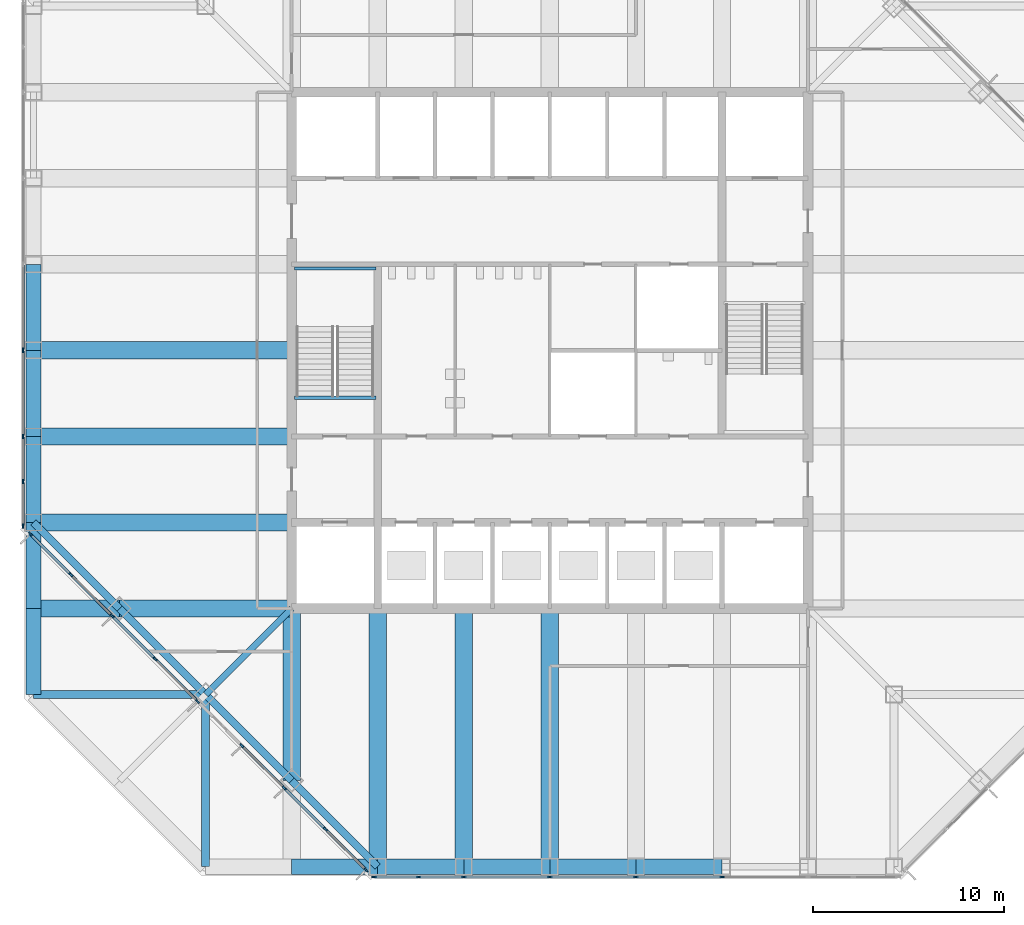
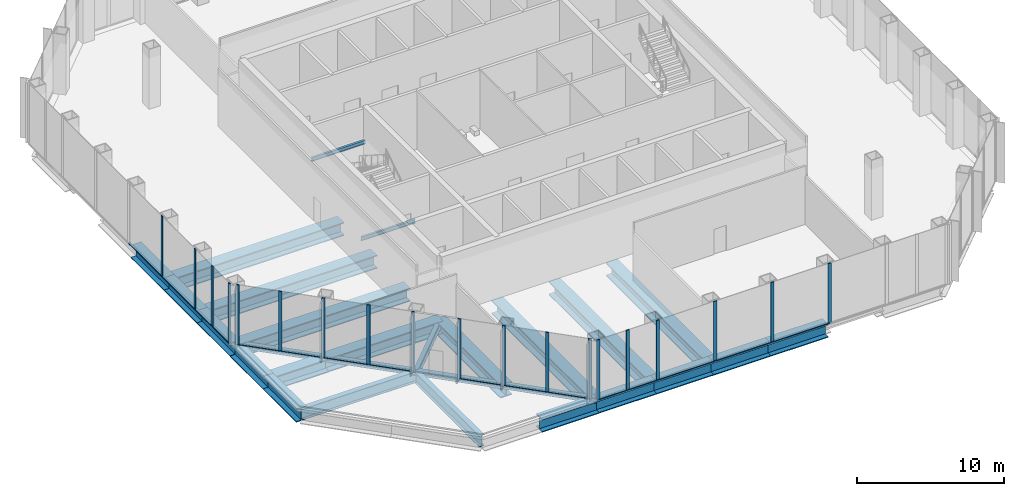
# One storey, part 2 of 12: 35 members, 28 beams, 4 elements without a shape of their own.
"""IFC4 building model written with IfcOpenShell, lengths in metres."""

from ifc_helpers import new_model, si_unit, direction, frame, origin, origin_2d, place, context, subcontext, project, spatial, rectangle, i_section, extrude, material, material_profile, profile_set, type_object, element, aggregate, save


model = new_model("IFC4")

# Units and contexts
model_context = context("Model", 3, precision=1e-05, world=origin(), true_north=direction((0.0, 1.0)))
body_context = subcontext(model_context, "Body", "Model", "MODEL_VIEW")
ifc_project = project(units=[si_unit("LENGTHUNIT", "METRE"), si_unit("AREAUNIT", "SQUARE_METRE"), si_unit("VOLUMEUNIT", "CUBIC_METRE"), si_unit("PLANEANGLEUNIT", "RADIAN"), si_unit("MASSUNIT", "GRAM", prefix="KILO")], contexts=[model_context])

# Site, building, storey
site_placement = place(None, origin())
site = spatial("IfcSite", under=ifc_project, at=site_placement, CompositionType="ELEMENT")
building_placement = place(site_placement, origin())
building = spatial("IfcBuilding", under=site, at=building_placement, Name="Corais Broadcast Tower", CompositionType="ELEMENT")
storey_placement = place(building_placement, frame((0.0, 0.0, 110.60009765625)))
storey = spatial("IfcBuildingStorey", under=building, at=storey_placement, Name="L24", CompositionType="ELEMENT", Elevation=110.60009765625)

# Beams
ifc_material_1 = material(Name="Steel ASTM A572 Grade 50", Category="steel")
ifc_material_profile_1 = material_profile(ifc_material_1, i_section(OverallWidth=0.323974609375, OverallDepth=0.611083984375, WebThickness=0.0126953125, FlangeThickness=0.01904296875, at=origin_2d()), Name="W610x155")
ifc_profile_set_1 = profile_set([ifc_material_profile_1], Name="Steel ASTM A572 Grade 50")
beam_type_1 = type_object("IfcBeamType", Name="Corner diagonal W610x155", PredefinedType="BEAM", material=ifc_profile_set_1)
beam_1_placement = place(storey_placement, frame((9.0, 9.0, -0.485595703125), z_axis=(0.707106781187, 0.707106781187, 0.0), x_axis=(-0.707106781187, 0.707106781187, 0.0)))
element("IfcBeam", 1, at=beam_1_placement, inside=storey, type_object=beam_type_1, Name="B6 C/5 to D/6", PredefinedType="BEAM", context=body_context, shape_type="SweptSolid", body=[
    extrude(i_section(OverallWidth=0.323974609375, OverallDepth=0.611083984375, WebThickness=0.0126953125, FlangeThickness=0.01904296875, at=origin_2d()), origin(), (0.0, 0.0, 1.0), 6.364013671875),
])
ifc_material_2 = material(Name="Steel ASTM A572 Grade 50", Category="steel")
ifc_material_profile_2 = material_profile(ifc_material_2, i_section(OverallWidth=0.1650390625, OverallDepth=0.31005859375, WebThickness=0.005859375, FlangeThickness=0.009765625, at=origin_2d()), Name="W310x38.7")
ifc_profile_set_2 = profile_set([ifc_material_profile_2], Name="Steel ASTM A572 Grade 50")
beam_type_2 = type_object("IfcBeamType", Name="Landing trimmer W310x38.7", PredefinedType="BEAM", material=ifc_profile_set_2)
for number, where, z_axis, x_axis, name in (
    (2, (13.64990234375, 24.52490234375, -0.35498046875), (1.0, 0.0, 0.0), (0.0, 1.0, 0.0), "LT1 stair A landing trimmer L24"),
    (3, (13.64990234375, 31.284912109375, 2.14501953125), (1.0, 0.0, 0.0), (0.0, 1.0, 0.0), "LT1 stair A half landing trimmer L24"),
):
    element("IfcBeam", number, at=place(storey_placement, frame(where, z_axis=z_axis, x_axis=x_axis)), inside=storey, type_object=beam_type_2, Name=name, PredefinedType="BEAM", context=body_context, shape_type="SweptSolid", body=[
        extrude(i_section(OverallWidth=0.1650390625, OverallDepth=0.31005859375, WebThickness=0.005859375, FlangeThickness=0.009765625, at=origin_2d()), origin(), (0.0, 0.0, 1.0), 4.25),
    ])

# Curtain wall, members
ifc_material_3 = material(Name="Aluminium and glass", Category="aluminium")
curtain_wall_type = type_object("IfcCurtainWallType", Name="Sky lobby curtain wall CW4", PredefinedType="NOTDEFINED", material=ifc_material_3)
curtain_wall_1_placement = place(storey_placement, origin())
curtain_wall_1 = element("IfcCurtainWall", 4, at=curtain_wall_1_placement, inside=storey, type_object=curtain_wall_type, Name="CW4 curtain wall L24 1", PredefinedType="NOTDEFINED")
ifc_material_4 = material(Name="Aluminium 6063-T6", Category="aluminium")
ifc_material_profile_3 = material_profile(ifc_material_4, rectangle(XDim=0.080078125, YDim=0.25, at=origin_2d()), Name="Mullion CW4 80x250")
ifc_profile_set_3 = profile_set([ifc_material_profile_3], Name="Aluminium 6063-T6")
member_type_1 = type_object("IfcMemberType", Name="Mullion CW4 80x250", PredefinedType="MULLION", material=ifc_profile_set_3)
member_1_placement = place(storey_placement, frame((17.390380859375, -0.168212890625, 0.0), z_axis=(0.0, 0.0, 1.0), x_axis=(-0.707106781187, -0.707106781187, 0.0)))
member_1 = element("IfcMember", 5, at=member_1_placement, type_object=member_type_1, Name="CW4 mullion 1", PredefinedType="MULLION", context=body_context, shape_type="SweptSolid", body=[
    extrude(rectangle(XDim=0.080078125, YDim=0.25, at=origin_2d()), origin(), (0.0, 0.0, 1.0), 5.0),
])
member_2_placement = place(storey_placement, frame((15.264892578125, 1.957275390625, 0.0), z_axis=(0.0, 0.0, 1.0), x_axis=(-0.707106781187, -0.707106781187, 0.0)))
member_2 = element("IfcMember", 6, at=member_2_placement, type_object=member_type_1, Name="CW4 mullion 2", PredefinedType="MULLION", context=body_context, shape_type="SweptSolid", body=[
    extrude(rectangle(XDim=0.080078125, YDim=0.25, at=origin_2d()), origin(), (0.0, 0.0, 1.0), 5.0),
])
member_3_placement = place(storey_placement, frame((13.111083984375, 4.111083984375, 0.0), z_axis=(0.0, 0.0, 1.0), x_axis=(-0.707106781187, -0.707106781187, 0.0)))
member_3 = element("IfcMember", 7, at=member_3_placement, type_object=member_type_1, Name="CW4 mullion 3", PredefinedType="MULLION", context=body_context, shape_type="SweptSolid", body=[
    extrude(rectangle(XDim=0.080078125, YDim=0.25, at=origin_2d()), origin(), (0.0, 0.0, 1.0), 5.0),
])
member_4_placement = place(storey_placement, frame((10.889404296875, 6.332763671875, 0.0), z_axis=(0.0, 0.0, 1.0), x_axis=(-0.707106781187, -0.707106781187, 0.0)))
member_4 = element("IfcMember", 8, at=member_4_placement, type_object=member_type_1, Name="CW4 mullion 4", PredefinedType="MULLION", context=body_context, shape_type="SweptSolid", body=[
    extrude(rectangle(XDim=0.080078125, YDim=0.25, at=origin_2d()), origin(), (0.0, 0.0, 1.0), 5.0),
])

curtain_wall_2_placement = place(storey_placement, origin())
curtain_wall_2 = element("IfcCurtainWall", 9, at=curtain_wall_2_placement, inside=storey, type_object=curtain_wall_type, Name="CW4 curtain wall L24 1", PredefinedType="NOTDEFINED")
member_5_placement = place(storey_placement, frame((8.582763671875, 8.639404296875, 0.0), z_axis=(0.0, 0.0, 1.0), x_axis=(-0.707106781187, -0.707106781187, 0.0)))
member_5 = element("IfcMember", 10, at=member_5_placement, type_object=member_type_1, Name="CW4 mullion 1", PredefinedType="MULLION", context=body_context, shape_type="SweptSolid", body=[
    extrude(rectangle(XDim=0.080078125, YDim=0.25, at=origin_2d()), origin(), (0.0, 0.0, 1.0), 5.0),
])
member_6_placement = place(storey_placement, frame((6.361083984375, 10.861083984375, 0.0), z_axis=(0.0, 0.0, 1.0), x_axis=(-0.707106781187, -0.707106781187, 0.0)))
member_6 = element("IfcMember", 11, at=member_6_placement, type_object=member_type_1, Name="CW4 mullion 2", PredefinedType="MULLION", context=body_context, shape_type="SweptSolid", body=[
    extrude(rectangle(XDim=0.080078125, YDim=0.25, at=origin_2d()), origin(), (0.0, 0.0, 1.0), 5.0),
])
member_7_placement = place(storey_placement, frame((4.111083984375, 13.111083984375, 0.0), z_axis=(0.0, 0.0, 1.0), x_axis=(-0.707106781187, -0.707106781187, 0.0)))
member_7 = element("IfcMember", 12, at=member_7_placement, type_object=member_type_1, Name="CW4 mullion 3", PredefinedType="MULLION", context=body_context, shape_type="SweptSolid", body=[
    extrude(rectangle(XDim=0.080078125, YDim=0.25, at=origin_2d()), origin(), (0.0, 0.0, 1.0), 5.0),
])
member_8_placement = place(storey_placement, frame((1.957275390625, 15.264892578125, 0.0), z_axis=(0.0, 0.0, 1.0), x_axis=(-0.707106781187, -0.707106781187, 0.0)))
member_8 = element("IfcMember", 13, at=member_8_placement, type_object=member_type_1, Name="CW4 mullion 4", PredefinedType="MULLION", context=body_context, shape_type="SweptSolid", body=[
    extrude(rectangle(XDim=0.080078125, YDim=0.25, at=origin_2d()), origin(), (0.0, 0.0, 1.0), 5.0),
])
member_9_placement = place(storey_placement, frame((-0.168212890625, 17.390380859375, 0.0), z_axis=(0.0, 0.0, 1.0), x_axis=(-0.707106781187, -0.707106781187, 0.0)))
member_9 = element("IfcMember", 14, at=member_9_placement, type_object=member_type_1, Name="CW4 mullion 5", PredefinedType="MULLION", context=body_context, shape_type="SweptSolid", body=[
    extrude(rectangle(XDim=0.080078125, YDim=0.25, at=origin_2d()), origin(), (0.0, 0.0, 1.0), 5.0),
])

curtain_wall_3_placement = place(storey_placement, origin())
curtain_wall_3 = element("IfcCurtainWall", 15, at=curtain_wall_3_placement, inside=storey, type_object=curtain_wall_type, Name="CW4 curtain wall L24 2", PredefinedType="NOTDEFINED")
member_10_placement = place(storey_placement, frame((-0.550048828125, 17.812255859375, 0.0), z_axis=(0.0, 0.0, 1.0), x_axis=(-1.0, 0.0, 0.0)))
member_10 = element("IfcMember", 16, at=member_10_placement, type_object=member_type_1, Name="CW4 mullion 1", PredefinedType="MULLION", context=body_context, shape_type="SweptSolid", body=[
    extrude(rectangle(XDim=0.080078125, YDim=0.25, at=origin_2d()), origin(), (0.0, 0.0, 1.0), 5.0),
])
member_11_placement = place(storey_placement, frame((-0.550048828125, 20.135986328125, 0.0), z_axis=(0.0, 0.0, 1.0), x_axis=(-1.0, 0.0, 0.0)))
member_11 = element("IfcMember", 17, at=member_11_placement, type_object=member_type_1, Name="CW4 mullion 2", PredefinedType="MULLION", context=body_context, shape_type="SweptSolid", body=[
    extrude(rectangle(XDim=0.080078125, YDim=0.25, at=origin_2d()), origin(), (0.0, 0.0, 1.0), 5.0),
])
member_12_placement = place(storey_placement, frame((-0.550048828125, 22.5, 0.0), z_axis=(0.0, 0.0, 1.0), x_axis=(-1.0, 0.0, 0.0)))
member_12 = element("IfcMember", 18, at=member_12_placement, type_object=member_type_1, Name="CW4 mullion 3", PredefinedType="MULLION", context=body_context, shape_type="SweptSolid", body=[
    extrude(rectangle(XDim=0.080078125, YDim=0.25, at=origin_2d()), origin(), (0.0, 0.0, 1.0), 5.0),
])
member_13_placement = place(storey_placement, frame((-0.550048828125, 27.0, 0.0), z_axis=(0.0, 0.0, 1.0), x_axis=(-1.0, 0.0, 0.0)))
member_13 = element("IfcMember", 19, at=member_13_placement, type_object=member_type_1, Name="CW4 mullion 4", PredefinedType="MULLION", context=body_context, shape_type="SweptSolid", body=[
    extrude(rectangle(XDim=0.080078125, YDim=0.25, at=origin_2d()), origin(), (0.0, 0.0, 1.0), 5.0),
])

curtain_wall_4_placement = place(storey_placement, origin())
curtain_wall_4 = element("IfcCurtainWall", 20, at=curtain_wall_4_placement, inside=storey, type_object=curtain_wall_type, Name="CW4 curtain wall L24 8", PredefinedType="NOTDEFINED")
member_14_placement = place(storey_placement, frame((36.0, -0.550048828125, 0.0), z_axis=(0.0, 0.0, 1.0), x_axis=(0.0, -1.0, 0.0)))
member_14 = element("IfcMember", 21, at=member_14_placement, type_object=member_type_1, Name="CW4 mullion 4", PredefinedType="MULLION", context=body_context, shape_type="SweptSolid", body=[
    extrude(rectangle(XDim=0.080078125, YDim=0.25, at=origin_2d()), origin(), (0.0, 0.0, 1.0), 5.0),
])
member_15_placement = place(storey_placement, frame((31.5, -0.550048828125, 0.0), z_axis=(0.0, 0.0, 1.0), x_axis=(0.0, -1.0, 0.0)))
member_15 = element("IfcMember", 22, at=member_15_placement, type_object=member_type_1, Name="CW4 mullion 5", PredefinedType="MULLION", context=body_context, shape_type="SweptSolid", body=[
    extrude(rectangle(XDim=0.080078125, YDim=0.25, at=origin_2d()), origin(), (0.0, 0.0, 1.0), 5.0),
])
member_16_placement = place(storey_placement, frame((27.0, -0.550048828125, 0.0), z_axis=(0.0, 0.0, 1.0), x_axis=(0.0, -1.0, 0.0)))
member_16 = element("IfcMember", 23, at=member_16_placement, type_object=member_type_1, Name="CW4 mullion 6", PredefinedType="MULLION", context=body_context, shape_type="SweptSolid", body=[
    extrude(rectangle(XDim=0.080078125, YDim=0.25, at=origin_2d()), origin(), (0.0, 0.0, 1.0), 5.0),
])
member_17_placement = place(storey_placement, frame((22.5, -0.550048828125, 0.0), z_axis=(0.0, 0.0, 1.0), x_axis=(0.0, -1.0, 0.0)))
member_17 = element("IfcMember", 24, at=member_17_placement, type_object=member_type_1, Name="CW4 mullion 7", PredefinedType="MULLION", context=body_context, shape_type="SweptSolid", body=[
    extrude(rectangle(XDim=0.080078125, YDim=0.25, at=origin_2d()), origin(), (0.0, 0.0, 1.0), 5.0),
])
member_18_placement = place(storey_placement, frame((20.135986328125, -0.550048828125, 0.0), z_axis=(0.0, 0.0, 1.0), x_axis=(0.0, -1.0, 0.0)))
member_18 = element("IfcMember", 25, at=member_18_placement, type_object=member_type_1, Name="CW4 mullion 8", PredefinedType="MULLION", context=body_context, shape_type="SweptSolid", body=[
    extrude(rectangle(XDim=0.080078125, YDim=0.25, at=origin_2d()), origin(), (0.0, 0.0, 1.0), 5.0),
])
member_19_placement = place(storey_placement, frame((17.812255859375, -0.550048828125, 0.0), z_axis=(0.0, 0.0, 1.0), x_axis=(0.0, -1.0, 0.0)))
member_19 = element("IfcMember", 26, at=member_19_placement, type_object=member_type_1, Name="CW4 mullion 9", PredefinedType="MULLION", context=body_context, shape_type="SweptSolid", body=[
    extrude(rectangle(XDim=0.080078125, YDim=0.25, at=origin_2d()), origin(), (0.0, 0.0, 1.0), 5.0),
])

# Beams
ifc_material_5 = material(Name="Steel ASTM A572 Grade 50", Category="steel")
ifc_material_profile_4 = material_profile(ifc_material_5, i_section(OverallWidth=0.800048828125, OverallDepth=1.10009765625, WebThickness=0.030029296875, FlangeThickness=0.070068359375, at=origin_2d()), Name="PG1100x1105")
ifc_profile_set_4 = profile_set([ifc_material_profile_4], Name="Steel ASTM A572 Grade 50")
beam_type_3 = type_object("IfcBeamType", Name="Pinned transfer spandrel PG1100x1105", PredefinedType="BEAM", material=ifc_profile_set_4)
beam_2_placement = place(storey_placement, frame((0.0, 13.5, -0.75), z_axis=(0.0, -1.0, 0.0), x_axis=(1.0, 0.0, 0.0)))
element("IfcBeam", 27, at=beam_2_placement, inside=storey, type_object=beam_type_3, Name="SB9 D/3 to C/3", PredefinedType="BEAM", context=body_context, shape_type="SweptSolid", body=[
    extrude(i_section(OverallWidth=0.800048828125, OverallDepth=1.10009765625, WebThickness=0.030029296875, FlangeThickness=0.070068359375, at=origin_2d()), origin(), (0.0, 0.0, 1.0), 4.5),
])
ifc_material_6 = material(Name="Steel ASTM A572 Grade 50", Category="steel")
ifc_material_profile_5 = material_profile(ifc_material_6, i_section(OverallWidth=0.40087890625, OverallDepth=0.386962890625, WebThickness=0.02099609375, FlangeThickness=0.033203125, at=origin_2d()), Name="W360x262")
ifc_profile_set_5 = profile_set([ifc_material_profile_5], Name="Steel ASTM A572 Grade 50")
beam_type_4 = type_object("IfcBeamType", Name="Transfer chord W360x262", PredefinedType="BEAM", material=ifc_profile_set_5)
for number, where, z_axis, x_axis, name in (
    (28, (13.5, 4.5, -0.37353515625), (-0.707106781187, 0.707106781187, 0.0), (-0.707106781187, -0.707106781187, 0.0), "TC1 B/6 to C/5"),
    (29, (18.0, 0.0, -0.37353515625), (-0.707106781187, 0.707106781187, 0.0), (-0.707106781187, -0.707106781187, 0.0), "TC1 A/7 to B/6"),
    (30, (4.5, 13.5, -0.37353515625), (-0.707106781187, 0.707106781187, 0.0), (-0.707106781187, -0.707106781187, 0.0), "TC1 D/4 to E/3"),
    (31, (9.0, 9.0, -0.37353515625), (-0.707106781187, 0.707106781187, 0.0), (-0.707106781187, -0.707106781187, 0.0), "TC1 C/5 to D/4"),
):
    element("IfcBeam", number, at=place(storey_placement, frame(where, z_axis=z_axis, x_axis=x_axis)), inside=storey, type_object=beam_type_4, Name=name, PredefinedType="BEAM", context=body_context, shape_type="SweptSolid", body=[
        extrude(i_section(OverallWidth=0.40087890625, OverallDepth=0.386962890625, WebThickness=0.02099609375, FlangeThickness=0.033203125, at=origin_2d()), origin(), (0.0, 0.0, 1.0), 6.364013671875),
    ])
ifc_material_7 = material(Name="Steel ASTM A572 Grade 50", Category="steel")
ifc_material_profile_6 = material_profile(ifc_material_7, i_section(OverallWidth=0.408935546875, OverallDepth=0.927001953125, WebThickness=0.0166015625, FlangeThickness=0.030029296875, at=origin_2d()), Name="W920x289")
ifc_profile_set_6 = profile_set([ifc_material_profile_6], Name="Steel ASTM A572 Grade 50")
beam_type_5 = type_object("IfcBeamType", Name="Transfer corner girder W920x289", PredefinedType="BEAM", material=ifc_profile_set_6)
for number, where, z_axis, x_axis, name in (
    (32, (0.0, 9.0, -0.66357421875), (1.0, 0.0, 0.0), (0.0, 1.0, 0.0), "B14 C/3 to C/5"),
    (33, (9.0, 0.0, -0.66357421875), (0.0, 1.0, 0.0), (-1.0, 0.0, 0.0), "B14 A/5 to C/5"),
):
    element("IfcBeam", number, at=place(storey_placement, frame(where, z_axis=z_axis, x_axis=x_axis)), inside=storey, type_object=beam_type_5, Name=name, PredefinedType="BEAM", context=body_context, shape_type="SweptSolid", body=[
        extrude(i_section(OverallWidth=0.408935546875, OverallDepth=0.927001953125, WebThickness=0.0166015625, FlangeThickness=0.030029296875, at=origin_2d()), origin(), (0.0, 0.0, 1.0), 9.0),
    ])
ifc_material_8 = material(Name="Steel ASTM A572 Grade 50", Category="steel")
ifc_material_profile_7 = material_profile(ifc_material_8, i_section(OverallWidth=0.89990234375, OverallDepth=1.10009765625, WebThickness=0.030029296875, FlangeThickness=0.080078125, at=origin_2d()), Name="PG1100x1352")
ifc_profile_set_7 = profile_set([ifc_material_profile_7], Name="Steel ASTM A572 Grade 50")
beam_type_6 = type_object("IfcBeamType", Name="Transfer floor beam PG1100x1352", PredefinedType="BEAM", material=ifc_profile_set_7)
beam_3_placement = place(storey_placement, frame((0.0, 13.5, -0.75), z_axis=(1.0, 0.0, 0.0), x_axis=(0.0, 1.0, 0.0)))
element("IfcBeam", 34, at=beam_3_placement, inside=storey, type_object=beam_type_6, Name="B10 D/3 to D/4", PredefinedType="BEAM", context=body_context, shape_type="SweptSolid", body=[
    extrude(i_section(OverallWidth=0.89990234375, OverallDepth=1.10009765625, WebThickness=0.030029296875, FlangeThickness=0.080078125, at=origin_2d()), origin(), (0.0, 0.0, 1.0), 4.5),
])
for number, where, z_axis, x_axis, name in (
    (35, (0.0, 18.0, -0.72998046875), (1.0, 0.0, 0.0), (0.0, 1.0, 0.0), "B10 E/3 to E/6"),
    (36, (0.0, 22.5, -0.72998046875), (1.0, 0.0, 0.0), (0.0, 1.0, 0.0), "B10 F/3 to F/6"),
    (37, (0.0, 27.0, -0.72998046875), (1.0, 0.0, 0.0), (0.0, 1.0, 0.0), "B10 G/3 to G/6"),
):
    element("IfcBeam", number, at=place(storey_placement, frame(where, z_axis=z_axis, x_axis=x_axis)), inside=storey, type_object=beam_type_6, Name=name, PredefinedType="BEAM", context=body_context, shape_type="SweptSolid", body=[
        extrude(i_section(OverallWidth=0.89990234375, OverallDepth=1.10009765625, WebThickness=0.030029296875, FlangeThickness=0.080078125, at=origin_2d()), origin(), (0.0, 0.0, 1.0), 13.5),
    ])
beam_4_placement = place(storey_placement, frame((13.5, 4.5, -0.72998046875), z_axis=(0.0, 1.0, 0.0), x_axis=(-1.0, 0.0, 0.0)))
element("IfcBeam", 38, at=beam_4_placement, inside=storey, type_object=beam_type_6, Name="B10 B/6 to D/6", PredefinedType="BEAM", context=body_context, shape_type="SweptSolid", body=[
    extrude(i_section(OverallWidth=0.89990234375, OverallDepth=1.10009765625, WebThickness=0.030029296875, FlangeThickness=0.080078125, at=origin_2d()), origin(), (0.0, 0.0, 1.0), 9.0),
])
for number, where, z_axis, x_axis, name in (
    (39, (18.0, 0.0, -0.72998046875), (0.0, 1.0, 0.0), (-1.0, 0.0, 0.0), "B10 A/7 to D/7"),
    (40, (22.5, 0.0, -0.72998046875), (0.0, 1.0, 0.0), (-1.0, 0.0, 0.0), "B10 A/8 to D/8"),
    (41, (27.0, 0.0, -0.72998046875), (0.0, 1.0, 0.0), (-1.0, 0.0, 0.0), "B10 A/9 to D/9"),
):
    element("IfcBeam", number, at=place(storey_placement, frame(where, z_axis=z_axis, x_axis=x_axis)), inside=storey, type_object=beam_type_6, Name=name, PredefinedType="BEAM", context=body_context, shape_type="SweptSolid", body=[
        extrude(i_section(OverallWidth=0.89990234375, OverallDepth=1.10009765625, WebThickness=0.030029296875, FlangeThickness=0.080078125, at=origin_2d()), origin(), (0.0, 0.0, 1.0), 13.5),
    ])
beam_5_placement = place(storey_placement, frame((4.5, 13.5, -0.72998046875), z_axis=(1.0, 0.0, 0.0), x_axis=(0.0, 1.0, 0.0)))
element("IfcBeam", 42, at=beam_5_placement, inside=storey, type_object=beam_type_6, Name="B10 D/4 to D/6", PredefinedType="BEAM", context=body_context, shape_type="SweptSolid", body=[
    extrude(i_section(OverallWidth=0.89990234375, OverallDepth=1.10009765625, WebThickness=0.030029296875, FlangeThickness=0.080078125, at=origin_2d()), origin(), (0.0, 0.0, 1.0), 9.0),
])
ifc_material_9 = material(Name="Steel ASTM A572 Grade 50", Category="steel")
ifc_material_profile_8 = material_profile(ifc_material_9, i_section(OverallWidth=0.800048828125, OverallDepth=1.10009765625, WebThickness=0.030029296875, FlangeThickness=0.070068359375, at=origin_2d()), Name="PG1100x1105")
ifc_profile_set_8 = profile_set([ifc_material_profile_8], Name="Steel ASTM A572 Grade 50")
beam_type_7 = type_object("IfcBeamType", Name="Transfer spandrel PG1100x1105", PredefinedType="BEAM", material=ifc_profile_set_8)
for number, where, z_axis, x_axis, name in (
    (43, (0.0, 18.0, -0.75), (0.0, -1.0, 0.0), (1.0, 0.0, 0.0), "SB8 E/3 to D/3"),
    (44, (0.0, 22.5, -0.72998046875), (0.0, -1.0, 0.0), (1.0, 0.0, 0.0), "SB8 F/3 to E/3"),
    (45, (0.0, 27.0, -0.72998046875), (0.0, -1.0, 0.0), (1.0, 0.0, 0.0), "SB8 G/3 to F/3"),
    (46, (0.0, 31.5, -0.72998046875), (0.0, -1.0, 0.0), (1.0, 0.0, 0.0), "SB8 H/3 to G/3"),
    (47, (13.5, 0.0, -0.75), (1.0, 0.0, 0.0), (0.0, 1.0, 0.0), "SB8 A/6 to A/7"),
    (48, (18.0, 0.0, -0.72998046875), (1.0, 0.0, 0.0), (0.0, 1.0, 0.0), "SB8 A/7 to A/8"),
    (49, (22.5, 0.0, -0.72998046875), (1.0, 0.0, 0.0), (0.0, 1.0, 0.0), "SB8 A/8 to A/9"),
    (50, (27.0, 0.0, -0.72998046875), (1.0, 0.0, 0.0), (0.0, 1.0, 0.0), "SB8 A/9 to A/10"),
    (51, (31.5, 0.0, -0.72998046875), (1.0, 0.0, 0.0), (0.0, 1.0, 0.0), "SB8 A/10 to A/11"),
):
    element("IfcBeam", number, at=place(storey_placement, frame(where, z_axis=z_axis, x_axis=x_axis)), inside=storey, type_object=beam_type_7, Name=name, PredefinedType="BEAM", context=body_context, shape_type="SweptSolid", body=[
        extrude(i_section(OverallWidth=0.800048828125, OverallDepth=1.10009765625, WebThickness=0.030029296875, FlangeThickness=0.070068359375, at=origin_2d()), origin(), (0.0, 0.0, 1.0), 4.5),
    ])

# Member
ifc_material_10 = material(Name="Aluminium 6063-T6", Category="aluminium")
ifc_material_profile_9 = material_profile(ifc_material_10, rectangle(XDim=0.159912109375, YDim=0.080078125, at=origin_2d()), Name="Transom CW4 80x160")
ifc_profile_set_9 = profile_set([ifc_material_profile_9], Name="Aluminium 6063-T6")
member_type_2 = type_object("IfcMemberType", Name="Transom CW4 80x160", PredefinedType="USERDEFINED", material=ifc_profile_set_9)
member_20_placement = place(storey_placement, frame((17.362060546875, -0.139892578125, 0.039794921875), z_axis=(-0.707106781187, 0.707106781187, 0.0), x_axis=(-0.707106781187, -0.707106781187, 0.0)))
member_20 = element("IfcMember", 52, at=member_20_placement, type_object=member_type_2, Name="CW4 transom 1.1", ObjectType="TRANSOM", PredefinedType="USERDEFINED", context=body_context, shape_type="SweptSolid", body=[
    extrude(rectangle(XDim=0.159912109375, YDim=0.080078125, at=origin_2d()), origin(), (0.0, 0.0, 1.0), 2.92578125),
])

member_21_placement = place(storey_placement, frame((15.236572265625, 1.985595703125, 0.039794921875), z_axis=(-0.707106781187, 0.707106781187, 0.0), x_axis=(-0.707106781187, -0.707106781187, 0.0)))
member_21 = element("IfcMember", 53, at=member_21_placement, type_object=member_type_2, Name="CW4 transom 2.1", ObjectType="TRANSOM", PredefinedType="USERDEFINED", context=body_context, shape_type="SweptSolid", body=[
    extrude(rectangle(XDim=0.159912109375, YDim=0.080078125, at=origin_2d()), origin(), (0.0, 0.0, 1.0), 2.9658203125),
])

member_22_placement = place(storey_placement, frame((13.082763671875, 4.139404296875, 0.039794921875), z_axis=(-0.707106781187, 0.707106781187, 0.0), x_axis=(-0.707106781187, -0.707106781187, 0.0)))
member_22 = element("IfcMember", 54, at=member_22_placement, type_object=member_type_2, Name="CW4 transom 3.1", ObjectType="TRANSOM", PredefinedType="USERDEFINED", context=body_context, shape_type="SweptSolid", body=[
    extrude(rectangle(XDim=0.159912109375, YDim=0.080078125, at=origin_2d()), origin(), (0.0, 0.0, 1.0), 3.061767578125),
])

aggregate(curtain_wall_1, [member_1, member_2, member_3, member_4, member_20, member_21, member_22])

member_23_placement = place(storey_placement, frame((8.554443359375, 8.667724609375, 0.039794921875), z_axis=(-0.707106781187, 0.707106781187, 0.0), x_axis=(-0.707106781187, -0.707106781187, 0.0)))
member_23 = element("IfcMember", 55, at=member_23_placement, type_object=member_type_2, Name="CW4 transom 1.1", ObjectType="TRANSOM", PredefinedType="USERDEFINED", context=body_context, shape_type="SweptSolid", body=[
    extrude(rectangle(XDim=0.159912109375, YDim=0.080078125, at=origin_2d()), origin(), (0.0, 0.0, 1.0), 3.061767578125),
])

member_24_placement = place(storey_placement, frame((6.332763671875, 10.889404296875, 0.039794921875), z_axis=(-0.707106781187, 0.707106781187, 0.0), x_axis=(-0.707106781187, -0.707106781187, 0.0)))
member_24 = element("IfcMember", 56, at=member_24_placement, type_object=member_type_2, Name="CW4 transom 2.1", ObjectType="TRANSOM", PredefinedType="USERDEFINED", context=body_context, shape_type="SweptSolid", body=[
    extrude(rectangle(XDim=0.159912109375, YDim=0.080078125, at=origin_2d()), origin(), (0.0, 0.0, 1.0), 3.101806640625),
])

member_25_placement = place(storey_placement, frame((4.082763671875, 13.139404296875, 0.039794921875), z_axis=(-0.707106781187, 0.707106781187, 0.0), x_axis=(-0.707106781187, -0.707106781187, 0.0)))
member_25 = element("IfcMember", 57, at=member_25_placement, type_object=member_type_2, Name="CW4 transom 3.1", ObjectType="TRANSOM", PredefinedType="USERDEFINED", context=body_context, shape_type="SweptSolid", body=[
    extrude(rectangle(XDim=0.159912109375, YDim=0.080078125, at=origin_2d()), origin(), (0.0, 0.0, 1.0), 2.9658203125),
])

member_26_placement = place(storey_placement, frame((1.928955078125, 15.293212890625, 0.039794921875), z_axis=(-0.707106781187, 0.707106781187, 0.0), x_axis=(-0.707106781187, -0.707106781187, 0.0)))
member_26 = element("IfcMember", 58, at=member_26_placement, type_object=member_type_2, Name="CW4 transom 4.1", ObjectType="TRANSOM", PredefinedType="USERDEFINED", context=body_context, shape_type="SweptSolid", body=[
    extrude(rectangle(XDim=0.159912109375, YDim=0.080078125, at=origin_2d()), origin(), (0.0, 0.0, 1.0), 2.92578125),
])

aggregate(curtain_wall_2, [member_5, member_6, member_7, member_8, member_9, member_23, member_24, member_25, member_26])

member_27_placement = place(storey_placement, frame((-0.550048828125, 17.852294921875, 0.039794921875), z_axis=(0.0, 1.0, 0.0), x_axis=(-1.0, 0.0, 0.0)))
member_27 = element("IfcMember", 59, at=member_27_placement, type_object=member_type_2, Name="CW4 transom 1.1", ObjectType="TRANSOM", PredefinedType="USERDEFINED", context=body_context, shape_type="SweptSolid", body=[
    extrude(rectangle(XDim=0.159912109375, YDim=0.080078125, at=origin_2d()), origin(), (0.0, 0.0, 1.0), 2.243896484375),
])

member_28_placement = place(storey_placement, frame((-0.550048828125, 20.176025390625, 0.039794921875), z_axis=(0.0, 1.0, 0.0), x_axis=(-1.0, 0.0, 0.0)))
member_28 = element("IfcMember", 60, at=member_28_placement, type_object=member_type_2, Name="CW4 transom 2.1", ObjectType="TRANSOM", PredefinedType="USERDEFINED", context=body_context, shape_type="SweptSolid", body=[
    extrude(rectangle(XDim=0.159912109375, YDim=0.080078125, at=origin_2d()), origin(), (0.0, 0.0, 1.0), 2.283935546875),
])

member_29_placement = place(storey_placement, frame((-0.550048828125, 22.5400390625, 0.039794921875), z_axis=(0.0, 1.0, 0.0), x_axis=(-1.0, 0.0, 0.0)))
member_29 = element("IfcMember", 61, at=member_29_placement, type_object=member_type_2, Name="CW4 transom 3.1", ObjectType="TRANSOM", PredefinedType="USERDEFINED", context=body_context, shape_type="SweptSolid", body=[
    extrude(rectangle(XDim=0.159912109375, YDim=0.080078125, at=origin_2d()), origin(), (0.0, 0.0, 1.0), 4.419921875),
])

member_30_placement = place(storey_placement, frame((-0.550048828125, 27.0400390625, 0.039794921875), z_axis=(0.0, 1.0, 0.0), x_axis=(-1.0, 0.0, 0.0)))
member_30 = element("IfcMember", 62, at=member_30_placement, type_object=member_type_2, Name="CW4 transom 4.1", ObjectType="TRANSOM", PredefinedType="USERDEFINED", context=body_context, shape_type="SweptSolid", body=[
    extrude(rectangle(XDim=0.159912109375, YDim=0.080078125, at=origin_2d()), origin(), (0.0, 0.0, 1.0), 4.419921875),
])

aggregate(curtain_wall_3, [member_10, member_11, member_12, member_13, member_27, member_28, member_29, member_30])

member_31_placement = place(storey_placement, frame((35.9599609375, -0.550048828125, 0.039794921875), z_axis=(-1.0, 0.0, 0.0), x_axis=(0.0, -1.0, 0.0)))
member_31 = element("IfcMember", 63, at=member_31_placement, type_object=member_type_2, Name="CW4 transom 4.1", ObjectType="TRANSOM", PredefinedType="USERDEFINED", context=body_context, shape_type="SweptSolid", body=[
    extrude(rectangle(XDim=0.159912109375, YDim=0.080078125, at=origin_2d()), origin(), (0.0, 0.0, 1.0), 4.419921875),
])

member_32_placement = place(storey_placement, frame((31.4599609375, -0.550048828125, 0.039794921875), z_axis=(-1.0, 0.0, 0.0), x_axis=(0.0, -1.0, 0.0)))
member_32 = element("IfcMember", 64, at=member_32_placement, type_object=member_type_2, Name="CW4 transom 5.1", ObjectType="TRANSOM", PredefinedType="USERDEFINED", context=body_context, shape_type="SweptSolid", body=[
    extrude(rectangle(XDim=0.159912109375, YDim=0.080078125, at=origin_2d()), origin(), (0.0, 0.0, 1.0), 4.419921875),
])

member_33_placement = place(storey_placement, frame((26.9599609375, -0.550048828125, 0.039794921875), z_axis=(-1.0, 0.0, 0.0), x_axis=(0.0, -1.0, 0.0)))
member_33 = element("IfcMember", 65, at=member_33_placement, type_object=member_type_2, Name="CW4 transom 6.1", ObjectType="TRANSOM", PredefinedType="USERDEFINED", context=body_context, shape_type="SweptSolid", body=[
    extrude(rectangle(XDim=0.159912109375, YDim=0.080078125, at=origin_2d()), origin(), (0.0, 0.0, 1.0), 4.419921875),
])

member_34_placement = place(storey_placement, frame((22.4599609375, -0.550048828125, 0.039794921875), z_axis=(-1.0, 0.0, 0.0), x_axis=(0.0, -1.0, 0.0)))
member_34 = element("IfcMember", 66, at=member_34_placement, type_object=member_type_2, Name="CW4 transom 7.1", ObjectType="TRANSOM", PredefinedType="USERDEFINED", context=body_context, shape_type="SweptSolid", body=[
    extrude(rectangle(XDim=0.159912109375, YDim=0.080078125, at=origin_2d()), origin(), (0.0, 0.0, 1.0), 2.283935546875),
])

member_35_placement = place(storey_placement, frame((20.09619140625, -0.550048828125, 0.039794921875), z_axis=(-1.0, 0.0, 0.0), x_axis=(0.0, -1.0, 0.0)))
member_35 = element("IfcMember", 67, at=member_35_placement, type_object=member_type_2, Name="CW4 transom 8.1", ObjectType="TRANSOM", PredefinedType="USERDEFINED", context=body_context, shape_type="SweptSolid", body=[
    extrude(rectangle(XDim=0.159912109375, YDim=0.080078125, at=origin_2d()), origin(), (0.0, 0.0, 1.0), 2.243896484375),
])

aggregate(curtain_wall_4, [member_14, member_15, member_16, member_17, member_18, member_19, member_31, member_32, member_33, member_34, member_35])

save(model, "model.ifc")
